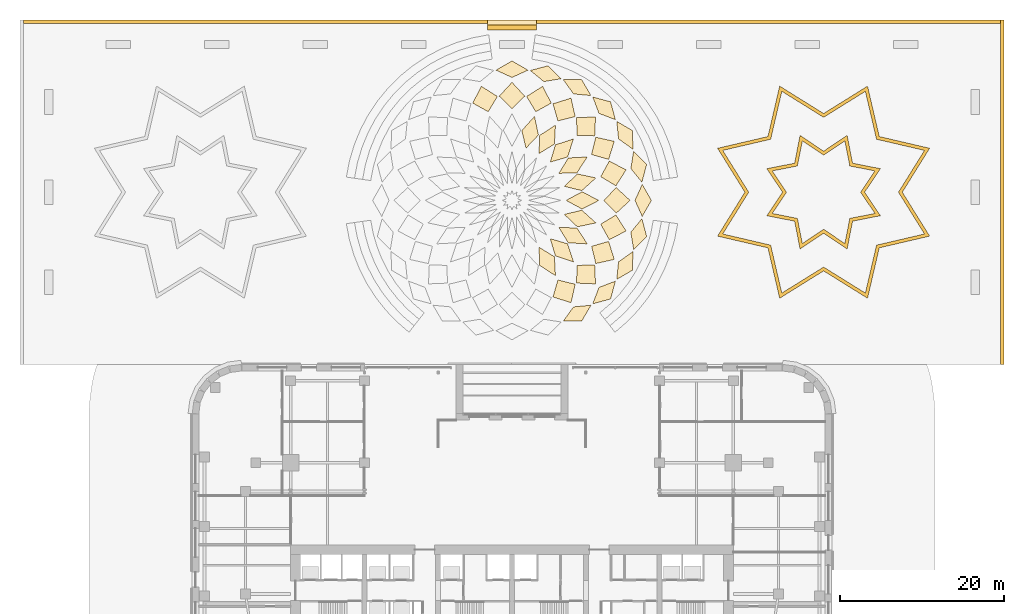
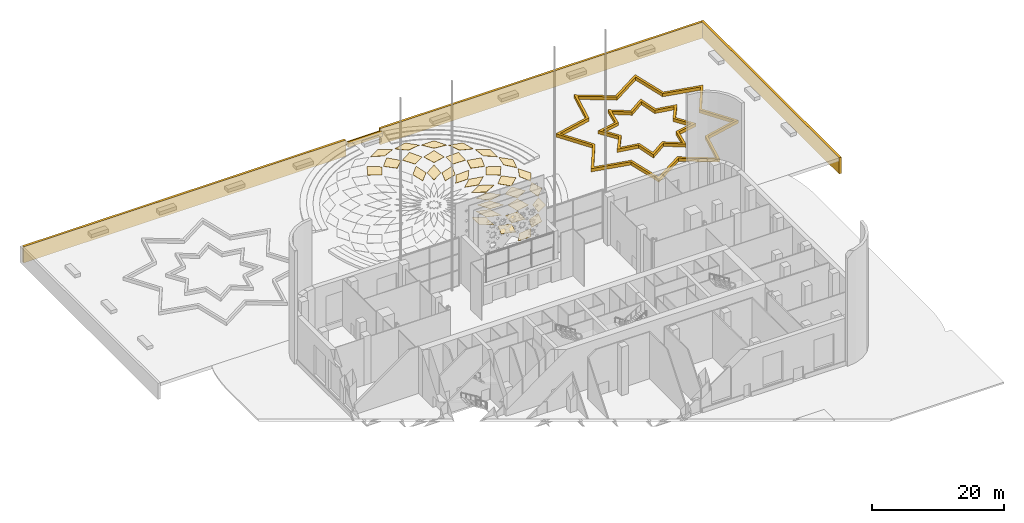
# One storey, part 21 of 23: 40 coverings.
"""IFC4 building model written with IfcOpenShell, lengths in metres."""

from ifc_helpers import new_model, si_unit, direction, frame, origin, place, context, subcontext, project, spatial, polyline, outline, extrude, material, layer, layer_set, type_object, element, save


model = new_model("IFC4")

# Units and contexts
model_context = context("Model", 3, precision=1e-05, world=origin(), true_north=direction((0.0, 1.0)))
body_context = subcontext(model_context, "Body", "Model", "MODEL_VIEW")
ifc_project = project(units=[si_unit("LENGTHUNIT", "METRE"), si_unit("AREAUNIT", "SQUARE_METRE"), si_unit("VOLUMEUNIT", "CUBIC_METRE"), si_unit("PLANEANGLEUNIT", "RADIAN"), si_unit("MASSUNIT", "GRAM", prefix="KILO")], contexts=[model_context])

# Site, building, storey
site_placement = place(None, origin())
site = spatial("IfcSite", under=ifc_project, at=site_placement, CompositionType="ELEMENT")
building_placement = place(site_placement, origin())
building = spatial("IfcBuilding", under=site, at=building_placement, Name="Zellij Exchange Tower", CompositionType="ELEMENT")
storey_placement = place(building_placement, origin())
storey = spatial("IfcBuildingStorey", under=building, at=storey_placement, Name="L00", CompositionType="ELEMENT", Elevation=0.0)

# Coverings
ifc_material_1 = material(Name="Limestone cladding", Category="masonry")
ifc_layer_1 = layer(ifc_material_1, 0.39990234375)
ifc_layer_set_1 = layer_set([ifc_layer_1], Name="Limestone cladding")
covering_type_1 = type_object("IfcCoveringType", Name="ENV-CV13 Plaza stone edge course 400", PredefinedType="CLADDING", material=ifc_layer_set_1)
covering_1_placement = place(storey_placement, frame((0.0, 0.0, -3.0)))
element("IfcCovering", 1, at=covering_1_placement, inside=storey, type_object=covering_type_1, Name="Plaza edge course", PredefinedType="CLADDING", context=body_context, shape_type="SweptSolid", body=[
    extrude(outline(polyline([(59.60009765625, 20.0), (60.0, 20.0), (60.0, 62.0), (59.60009765625, 62.0), (59.60009765625, 20.0)])), origin(), (0.0, 0.0, 1.0), 3.0),
])
covering_2_placement = place(storey_placement, frame((0.0, 0.0, -3.0)))
element("IfcCovering", 2, at=covering_2_placement, inside=storey, type_object=covering_type_1, Name="Plaza edge course", PredefinedType="CLADDING", context=body_context, shape_type="SweptSolid", body=[
    extrude(outline(polyline([(-59.60009765625, 61.60009765625), (-3.0, 61.60009765625), (-3.0, 62.0), (-59.60009765625, 62.0), (-59.60009765625, 61.60009765625)])), origin(), (0.0, 0.0, 1.0), 3.0),
])
covering_3_placement = place(storey_placement, frame((0.0, 0.0, -3.0)))
element("IfcCovering", 3, at=covering_3_placement, inside=storey, type_object=covering_type_1, Name="Plaza edge course", PredefinedType="CLADDING", context=body_context, shape_type="SweptSolid", body=[
    extrude(outline(polyline([(3.0, 61.60009765625), (59.60009765625, 61.60009765625), (59.60009765625, 62.0), (3.0, 62.0), (3.0, 61.60009765625)])), origin(), (0.0, 0.0, 1.0), 3.0),
])
ifc_layer_2 = layer(ifc_material_1, 0.39990234375)
ifc_layer_set_2 = layer_set([ifc_layer_2], Name="Limestone cladding")
covering_type_2 = type_object("IfcCoveringType", Name="ENV-CV14 Garden bed kerb 400", PredefinedType="CLADDING", material=ifc_layer_set_2)
covering_4_placement = place(storey_placement, origin())
element("IfcCovering", 4, at=covering_4_placement, inside=storey, type_object=covering_type_2, Name="Garden bed kerb", PredefinedType="CLADDING", context=body_context, shape_type="SweptSolid", body=[
    extrude(outline(polyline([(50.934326171875, 46.357666015625), (44.7880859375, 47.7880859375), (43.357666015625, 53.934326171875), (38.0, 50.60009765625), (32.642333984375, 53.934326171875), (31.2119140625, 47.7880859375), (25.065673828125, 46.357666015625), (28.39990234375, 41.0), (25.065673828125, 35.642333984375), (31.2119140625, 34.2119140625), (32.642333984375, 28.065673828125), (38.0, 31.39990234375), (43.357666015625, 28.065673828125), (44.7880859375, 34.2119140625), (50.934326171875, 35.642333984375), (47.60009765625, 41.0), (50.934326171875, 46.357666015625)]), holes=[polyline([(50.299560546875, 46.094482421875), (47.12890625, 41.0), (50.299560546875, 35.905517578125), (44.455078125, 34.544921875), (43.094482421875, 28.700439453125), (38.0, 31.87109375), (32.905517578125, 28.700439453125), (31.544921875, 34.544921875), (25.700439453125, 35.905517578125), (28.87109375, 41.0), (25.700439453125, 46.094482421875), (31.544921875, 47.455078125), (32.905517578125, 53.299560546875), (38.0, 50.12890625), (43.094482421875, 53.299560546875), (44.455078125, 47.455078125), (50.299560546875, 46.094482421875)])]), origin(), (0.0, 0.0, 1.0), 0.60009765625),
])
covering_5_placement = place(storey_placement, origin())
element("IfcCovering", 5, at=covering_5_placement, inside=storey, type_object=covering_type_2, Name="Garden bed kerb", PredefinedType="CLADDING", context=body_context, shape_type="SweptSolid", body=[
    extrude(outline(polyline([(44.92919921875, 43.8701171875), (41.535400390625, 44.535400390625), (40.8701171875, 47.92919921875), (38.0, 46.0), (35.1298828125, 47.92919921875), (34.464599609375, 44.535400390625), (31.07080078125, 43.8701171875), (33.0, 41.0), (31.07080078125, 38.1298828125), (34.464599609375, 37.464599609375), (35.1298828125, 34.07080078125), (38.0, 36.0), (40.8701171875, 34.07080078125), (41.535400390625, 37.464599609375), (44.92919921875, 38.1298828125), (43.0, 41.0), (44.92919921875, 43.8701171875)]), holes=[polyline([(44.26123046875, 43.593505859375), (42.51806640625, 41.0), (44.26123046875, 38.406494140625), (41.194580078125, 37.805419921875), (40.593505859375, 34.73876953125), (38.0, 36.48193359375), (35.406494140625, 34.73876953125), (34.805419921875, 37.805419921875), (31.73876953125, 38.406494140625), (33.48193359375, 41.0), (31.73876953125, 43.593505859375), (34.805419921875, 44.194580078125), (35.406494140625, 47.26123046875), (38.0, 45.51806640625), (40.593505859375, 47.26123046875), (41.194580078125, 44.194580078125), (44.26123046875, 43.593505859375)])]), origin(), (0.0, 0.0, 1.0), 0.60009765625),
])
ifc_layer_3 = layer(ifc_material_1, 0.60009765625)
ifc_layer_set_3 = layer_set([ifc_layer_3], Name="Limestone cladding")
covering_type_3 = type_object("IfcCoveringType", Name="ENV-CV17 Crossing step 600", PredefinedType="CLADDING", material=ifc_layer_set_3)
covering_6_placement = place(storey_placement, frame((0.0, 0.0, -0.89990234375)))
element("IfcCovering", 6, at=covering_6_placement, inside=storey, type_object=covering_type_3, Name="Crossing step", PredefinedType="CLADDING", context=body_context, shape_type="SweptSolid", body=[
    extrude(outline(polyline([(-3.0, 60.800048828125), (3.0, 60.800048828125), (3.0, 61.39990234375), (-3.0, 61.39990234375), (-3.0, 60.800048828125)])), origin(), (0.0, 0.0, 1.0), 0.599853515625),
])
covering_7_placement = place(storey_placement, frame((0.0, 0.0, -0.89990234375)))
element("IfcCovering", 7, at=covering_7_placement, inside=storey, type_object=covering_type_3, Name="Crossing step", PredefinedType="CLADDING", context=body_context, shape_type="SweptSolid", body=[
    extrude(outline(polyline([(-3.0, 61.39990234375), (3.0, 61.39990234375), (3.0, 62.0), (-3.0, 62.0), (-3.0, 61.39990234375)])), origin(), (0.0, 0.0, 1.0), 0.2998046875),
])
ifc_material_2 = material(Name="Limestone paving", Category="masonry")
ifc_layer_4 = layer(ifc_material_2, 0.030029296875)
ifc_layer_set_4 = layer_set([ifc_layer_4], Name="Limestone paving")
covering_type_4 = type_object("IfcCoveringType", Name="ENV-PV4 Girih inlay 30", PredefinedType="FLOORING", material=ifc_layer_set_4)
covering_8_placement = place(storey_placement, origin())
element("IfcCovering", 8, at=covering_8_placement, inside=storey, type_object=covering_type_4, Name="Plaza inlay", PredefinedType="FLOORING", context=body_context, shape_type="SweptSolid", body=[
    extrude(outline(polyline([(6.60009765625, 40.0), (8.535888671875, 41.048095703125), (10.60009765625, 40.0), (8.535888671875, 38.951904296875), (6.60009765625, 40.0)])), origin(), (0.0, 0.0, 1.0), 0.030029296875),
])
covering_9_placement = place(storey_placement, origin())
element("IfcCovering", 9, at=covering_9_placement, inside=storey, type_object=covering_type_4, Name="Plaza inlay", PredefinedType="FLOORING", context=body_context, shape_type="SweptSolid", body=[
    extrude(outline(polyline([(6.375, 41.708251953125), (7.973876953125, 43.2216796875), (10.23876953125, 42.743408203125), (8.516357421875, 41.197021484375), (6.375, 41.708251953125)])), origin(), (0.0, 0.0, 1.0), 0.030029296875),
])
covering_10_placement = place(storey_placement, origin())
element("IfcCovering", 10, at=covering_10_placement, inside=storey, type_object=covering_type_4, Name="Plaza inlay", PredefinedType="FLOORING", context=body_context, shape_type="SweptSolid", body=[
    extrude(outline(polyline([(5.7158203125, 43.300048828125), (6.868408203125, 45.175537109375), (9.179931640625, 45.300048828125), (7.916259765625, 43.3603515625), (5.7158203125, 43.300048828125)])), origin(), (0.0, 0.0, 1.0), 0.030029296875),
])
covering_11_placement = place(storey_placement, origin())
element("IfcCovering", 11, at=covering_11_placement, inside=storey, type_object=covering_type_4, Name="Plaza inlay", PredefinedType="FLOORING", context=body_context, shape_type="SweptSolid", body=[
    extrude(outline(polyline([(4.6669921875, 44.6669921875), (5.294677734375, 46.77685546875), (7.495361328125, 47.495361328125), (6.77685546875, 45.294677734375), (4.6669921875, 44.6669921875)])), origin(), (0.0, 0.0, 1.0), 0.030029296875),
])
covering_12_placement = place(storey_placement, origin())
element("IfcCovering", 12, at=covering_12_placement, inside=storey, type_object=covering_type_4, Name="Plaza inlay", PredefinedType="FLOORING", context=body_context, shape_type="SweptSolid", body=[
    extrude(outline(polyline([(3.300048828125, 45.7158203125), (3.3603515625, 47.916259765625), (5.300048828125, 49.179931640625), (5.175537109375, 46.868408203125), (3.300048828125, 45.7158203125)])), origin(), (0.0, 0.0, 1.0), 0.030029296875),
])
covering_13_placement = place(storey_placement, origin())
element("IfcCovering", 13, at=covering_13_placement, inside=storey, type_object=covering_type_4, Name="Plaza inlay", PredefinedType="FLOORING", context=body_context, shape_type="SweptSolid", body=[
    extrude(outline(polyline([(1.708251953125, 46.375), (1.197021484375, 48.516357421875), (2.743408203125, 50.23876953125), (3.2216796875, 47.973876953125), (1.708251953125, 46.375)])), origin(), (0.0, 0.0, 1.0), 0.030029296875),
])
covering_14_placement = place(storey_placement, origin())
element("IfcCovering", 14, at=covering_14_placement, inside=storey, type_object=covering_type_4, Name="Plaza inlay", PredefinedType="FLOORING", context=body_context, shape_type="SweptSolid", body=[
    extrude(outline(polyline([(3.300048828125, 34.2841796875), (5.175537109375, 33.131591796875), (5.300048828125, 30.820068359375), (3.3603515625, 32.083740234375), (3.300048828125, 34.2841796875)])), origin(), (0.0, 0.0, 1.0), 0.030029296875),
])
covering_15_placement = place(storey_placement, origin())
element("IfcCovering", 15, at=covering_15_placement, inside=storey, type_object=covering_type_4, Name="Plaza inlay", PredefinedType="FLOORING", context=body_context, shape_type="SweptSolid", body=[
    extrude(outline(polyline([(4.6669921875, 35.3330078125), (6.77685546875, 34.705322265625), (7.495361328125, 32.504638671875), (5.294677734375, 33.22314453125), (4.6669921875, 35.3330078125)])), origin(), (0.0, 0.0, 1.0), 0.030029296875),
])
covering_16_placement = place(storey_placement, origin())
element("IfcCovering", 16, at=covering_16_placement, inside=storey, type_object=covering_type_4, Name="Plaza inlay", PredefinedType="FLOORING", context=body_context, shape_type="SweptSolid", body=[
    extrude(outline(polyline([(5.7158203125, 36.699951171875), (7.916259765625, 36.6396484375), (9.179931640625, 34.699951171875), (6.868408203125, 34.824462890625), (5.7158203125, 36.699951171875)])), origin(), (0.0, 0.0, 1.0), 0.030029296875),
])
covering_17_placement = place(storey_placement, origin())
element("IfcCovering", 17, at=covering_17_placement, inside=storey, type_object=covering_type_4, Name="Plaza inlay", PredefinedType="FLOORING", context=body_context, shape_type="SweptSolid", body=[
    extrude(outline(polyline([(6.375, 38.291748046875), (8.516357421875, 38.802978515625), (10.23876953125, 37.256591796875), (7.973876953125, 36.7783203125), (6.375, 38.291748046875)])), origin(), (0.0, 0.0, 1.0), 0.030029296875),
])
covering_18_placement = place(storey_placement, origin())
element("IfcCovering", 18, at=covering_18_placement, inside=storey, type_object=covering_type_4, Name="Plaza inlay", PredefinedType="FLOORING", context=body_context, shape_type="SweptSolid", body=[
    extrude(outline(polyline([(11.199951171875, 40.0), (12.70458984375, 41.559814453125), (14.39990234375, 40.0), (12.70458984375, 38.440185546875), (11.199951171875, 40.0)])), origin(), (0.0, 0.0, 1.0), 0.030029296875),
])
covering_19_placement = place(storey_placement, origin())
element("IfcCovering", 19, at=covering_19_placement, inside=storey, type_object=covering_type_4, Name="Plaza inlay", PredefinedType="FLOORING", context=body_context, shape_type="SweptSolid", body=[
    extrude(outline(polyline([(10.818359375, 42.898681640625), (11.867919921875, 44.794921875), (13.9091796875, 43.72705078125), (12.67529296875, 41.781494140625), (10.818359375, 42.898681640625)])), origin(), (0.0, 0.0, 1.0), 0.030029296875),
])
covering_20_placement = place(storey_placement, origin())
element("IfcCovering", 20, at=covering_20_placement, inside=storey, type_object=covering_type_4, Name="Plaza inlay", PredefinedType="FLOORING", context=body_context, shape_type="SweptSolid", body=[
    extrude(outline(polyline([(9.699462890625, 45.60009765625), (10.222412109375, 47.703125), (12.470703125, 47.199951171875), (11.782470703125, 45.00146484375), (9.699462890625, 45.60009765625)])), origin(), (0.0, 0.0, 1.0), 0.030029296875),
])
covering_21_placement = place(storey_placement, origin())
element("IfcCovering", 21, at=covering_21_placement, inside=storey, type_object=covering_type_4, Name="Plaza inlay", PredefinedType="FLOORING", context=body_context, shape_type="SweptSolid", body=[
    extrude(outline(polyline([(7.919677734375, 47.919677734375), (7.880615234375, 50.08642578125), (10.182373046875, 50.182373046875), (10.08642578125, 47.880615234375), (7.919677734375, 47.919677734375)])), origin(), (0.0, 0.0, 1.0), 0.030029296875),
])
covering_22_placement = place(storey_placement, origin())
element("IfcCovering", 22, at=covering_22_placement, inside=storey, type_object=covering_type_4, Name="Plaza inlay", PredefinedType="FLOORING", context=body_context, shape_type="SweptSolid", body=[
    extrude(outline(polyline([(5.60009765625, 49.699462890625), (5.00146484375, 51.782470703125), (7.199951171875, 52.470703125), (7.703125, 50.222412109375), (5.60009765625, 49.699462890625)])), origin(), (0.0, 0.0, 1.0), 0.030029296875),
])
covering_23_placement = place(storey_placement, origin())
element("IfcCovering", 23, at=covering_23_placement, inside=storey, type_object=covering_type_4, Name="Plaza inlay", PredefinedType="FLOORING", context=body_context, shape_type="SweptSolid", body=[
    extrude(outline(polyline([(2.898681640625, 50.818359375), (1.781494140625, 52.67529296875), (3.72705078125, 53.9091796875), (4.794921875, 51.867919921875), (2.898681640625, 50.818359375)])), origin(), (0.0, 0.0, 1.0), 0.030029296875),
])
covering_24_placement = place(storey_placement, origin())
element("IfcCovering", 24, at=covering_24_placement, inside=storey, type_object=covering_type_4, Name="Plaza inlay", PredefinedType="FLOORING", context=body_context, shape_type="SweptSolid", body=[
    extrude(outline(polyline([(0.0, 51.199951171875), (-1.559814453125, 52.70458984375), (0.0, 54.39990234375), (1.559814453125, 52.70458984375), (0.0, 51.199951171875)])), origin(), (0.0, 0.0, 1.0), 0.030029296875),
])
covering_25_placement = place(storey_placement, origin())
element("IfcCovering", 25, at=covering_25_placement, inside=storey, type_object=covering_type_4, Name="Plaza inlay", PredefinedType="FLOORING", context=body_context, shape_type="SweptSolid", body=[
    extrude(outline(polyline([(-2.898681640625, 50.818359375), (-4.794921875, 51.867919921875), (-3.72705078125, 53.9091796875), (-1.781494140625, 52.67529296875), (-2.898681640625, 50.818359375)])), origin(), (0.0, 0.0, 1.0), 0.030029296875),
])
covering_26_placement = place(storey_placement, origin())
element("IfcCovering", 26, at=covering_26_placement, inside=storey, type_object=covering_type_4, Name="Plaza inlay", PredefinedType="FLOORING", context=body_context, shape_type="SweptSolid", body=[
    extrude(outline(polyline([(5.60009765625, 30.300537109375), (7.703125, 29.777587890625), (7.199951171875, 27.529296875), (5.00146484375, 28.217529296875), (5.60009765625, 30.300537109375)])), origin(), (0.0, 0.0, 1.0), 0.030029296875),
])
covering_27_placement = place(storey_placement, origin())
element("IfcCovering", 27, at=covering_27_placement, inside=storey, type_object=covering_type_4, Name="Plaza inlay", PredefinedType="FLOORING", context=body_context, shape_type="SweptSolid", body=[
    extrude(outline(polyline([(7.919677734375, 32.080322265625), (10.08642578125, 32.119384765625), (10.182373046875, 29.817626953125), (7.880615234375, 29.91357421875), (7.919677734375, 32.080322265625)])), origin(), (0.0, 0.0, 1.0), 0.030029296875),
])
covering_28_placement = place(storey_placement, origin())
element("IfcCovering", 28, at=covering_28_placement, inside=storey, type_object=covering_type_4, Name="Plaza inlay", PredefinedType="FLOORING", context=body_context, shape_type="SweptSolid", body=[
    extrude(outline(polyline([(9.699462890625, 34.39990234375), (11.782470703125, 34.99853515625), (12.470703125, 32.800048828125), (10.222412109375, 32.296875), (9.699462890625, 34.39990234375)])), origin(), (0.0, 0.0, 1.0), 0.030029296875),
])
covering_29_placement = place(storey_placement, origin())
element("IfcCovering", 29, at=covering_29_placement, inside=storey, type_object=covering_type_4, Name="Plaza inlay", PredefinedType="FLOORING", context=body_context, shape_type="SweptSolid", body=[
    extrude(outline(polyline([(10.818359375, 37.101318359375), (12.67529296875, 38.218505859375), (13.9091796875, 36.27294921875), (11.867919921875, 35.205078125), (10.818359375, 37.101318359375)])), origin(), (0.0, 0.0, 1.0), 0.030029296875),
])
covering_30_placement = place(storey_placement, origin())
element("IfcCovering", 30, at=covering_30_placement, inside=storey, type_object=covering_type_4, Name="Plaza inlay", PredefinedType="FLOORING", context=body_context, shape_type="SweptSolid", body=[
    extrude(outline(polyline([(15.0, 40.0), (15.880615234375, 41.949951171875), (17.0, 40.0), (15.880615234375, 38.050048828125), (15.0, 40.0)])), origin(), (0.0, 0.0, 1.0), 0.030029296875),
])
covering_31_placement = place(storey_placement, origin())
element("IfcCovering", 31, at=covering_31_placement, inside=storey, type_object=covering_type_4, Name="Plaza inlay", PredefinedType="FLOORING", context=body_context, shape_type="SweptSolid", body=[
    extrude(outline(polyline([(14.489013671875, 43.88232421875), (14.8349609375, 45.99365234375), (16.420654296875, 44.39990234375), (15.84423828125, 42.226806640625), (14.489013671875, 43.88232421875)])), origin(), (0.0, 0.0, 1.0), 0.030029296875),
])
covering_32_placement = place(storey_placement, origin())
element("IfcCovering", 32, at=covering_32_placement, inside=storey, type_object=covering_type_4, Name="Plaza inlay", PredefinedType="FLOORING", context=body_context, shape_type="SweptSolid", body=[
    extrude(outline(polyline([(12.990478515625, 47.5), (12.7783203125, 49.62890625), (14.722412109375, 48.5), (14.72802734375, 46.251708984375), (12.990478515625, 47.5)])), origin(), (0.0, 0.0, 1.0), 0.030029296875),
])
covering_33_placement = place(storey_placement, origin())
element("IfcCovering", 33, at=covering_33_placement, inside=storey, type_object=covering_type_4, Name="Plaza inlay", PredefinedType="FLOORING", context=body_context, shape_type="SweptSolid", body=[
    extrude(outline(polyline([(10.606689453125, 50.606689453125), (9.8505859375, 52.608154296875), (12.020751953125, 52.020751953125), (12.608154296875, 49.8505859375), (10.606689453125, 50.606689453125)])), origin(), (0.0, 0.0, 1.0), 0.030029296875),
])
covering_34_placement = place(storey_placement, origin())
element("IfcCovering", 34, at=covering_34_placement, inside=storey, type_object=covering_type_4, Name="Plaza inlay", PredefinedType="FLOORING", context=body_context, shape_type="SweptSolid", body=[
    extrude(outline(polyline([(7.5, 52.990478515625), (6.251708984375, 54.72802734375), (8.5, 54.722412109375), (9.62890625, 52.7783203125), (7.5, 52.990478515625)])), origin(), (0.0, 0.0, 1.0), 0.030029296875),
])
covering_35_placement = place(storey_placement, origin())
element("IfcCovering", 35, at=covering_35_placement, inside=storey, type_object=covering_type_4, Name="Plaza inlay", PredefinedType="FLOORING", context=body_context, shape_type="SweptSolid", body=[
    extrude(outline(polyline([(3.88232421875, 54.489013671875), (2.226806640625, 55.84423828125), (4.39990234375, 56.420654296875), (5.99365234375, 54.8349609375), (3.88232421875, 54.489013671875)])), origin(), (0.0, 0.0, 1.0), 0.030029296875),
])
covering_36_placement = place(storey_placement, origin())
element("IfcCovering", 36, at=covering_36_placement, inside=storey, type_object=covering_type_4, Name="Plaza inlay", PredefinedType="FLOORING", context=body_context, shape_type="SweptSolid", body=[
    extrude(outline(polyline([(0.0, 55.0), (-1.949951171875, 55.880615234375), (0.0, 57.0), (1.949951171875, 55.880615234375), (0.0, 55.0)])), origin(), (0.0, 0.0, 1.0), 0.030029296875),
])
covering_37_placement = place(storey_placement, origin())
element("IfcCovering", 37, at=covering_37_placement, inside=storey, type_object=covering_type_4, Name="Plaza inlay", PredefinedType="FLOORING", context=body_context, shape_type="SweptSolid", body=[
    extrude(outline(polyline([(7.5, 27.009521484375), (9.62890625, 27.2216796875), (8.5, 25.277587890625), (6.251708984375, 25.27197265625), (7.5, 27.009521484375)])), origin(), (0.0, 0.0, 1.0), 0.030029296875),
])
covering_38_placement = place(storey_placement, origin())
element("IfcCovering", 38, at=covering_38_placement, inside=storey, type_object=covering_type_4, Name="Plaza inlay", PredefinedType="FLOORING", context=body_context, shape_type="SweptSolid", body=[
    extrude(outline(polyline([(10.606689453125, 29.393310546875), (12.608154296875, 30.1494140625), (12.020751953125, 27.979248046875), (9.8505859375, 27.391845703125), (10.606689453125, 29.393310546875)])), origin(), (0.0, 0.0, 1.0), 0.030029296875),
])
covering_39_placement = place(storey_placement, origin())
element("IfcCovering", 39, at=covering_39_placement, inside=storey, type_object=covering_type_4, Name="Plaza inlay", PredefinedType="FLOORING", context=body_context, shape_type="SweptSolid", body=[
    extrude(outline(polyline([(12.990478515625, 32.5), (14.72802734375, 33.748291015625), (14.722412109375, 31.5), (12.7783203125, 30.37109375), (12.990478515625, 32.5)])), origin(), (0.0, 0.0, 1.0), 0.030029296875),
])
covering_40_placement = place(storey_placement, origin())
element("IfcCovering", 40, at=covering_40_placement, inside=storey, type_object=covering_type_4, Name="Plaza inlay", PredefinedType="FLOORING", context=body_context, shape_type="SweptSolid", body=[
    extrude(outline(polyline([(14.489013671875, 36.11767578125), (15.84423828125, 37.773193359375), (16.420654296875, 35.60009765625), (14.8349609375, 34.00634765625), (14.489013671875, 36.11767578125)])), origin(), (0.0, 0.0, 1.0), 0.030029296875),
])

save(model, "model.ifc")
